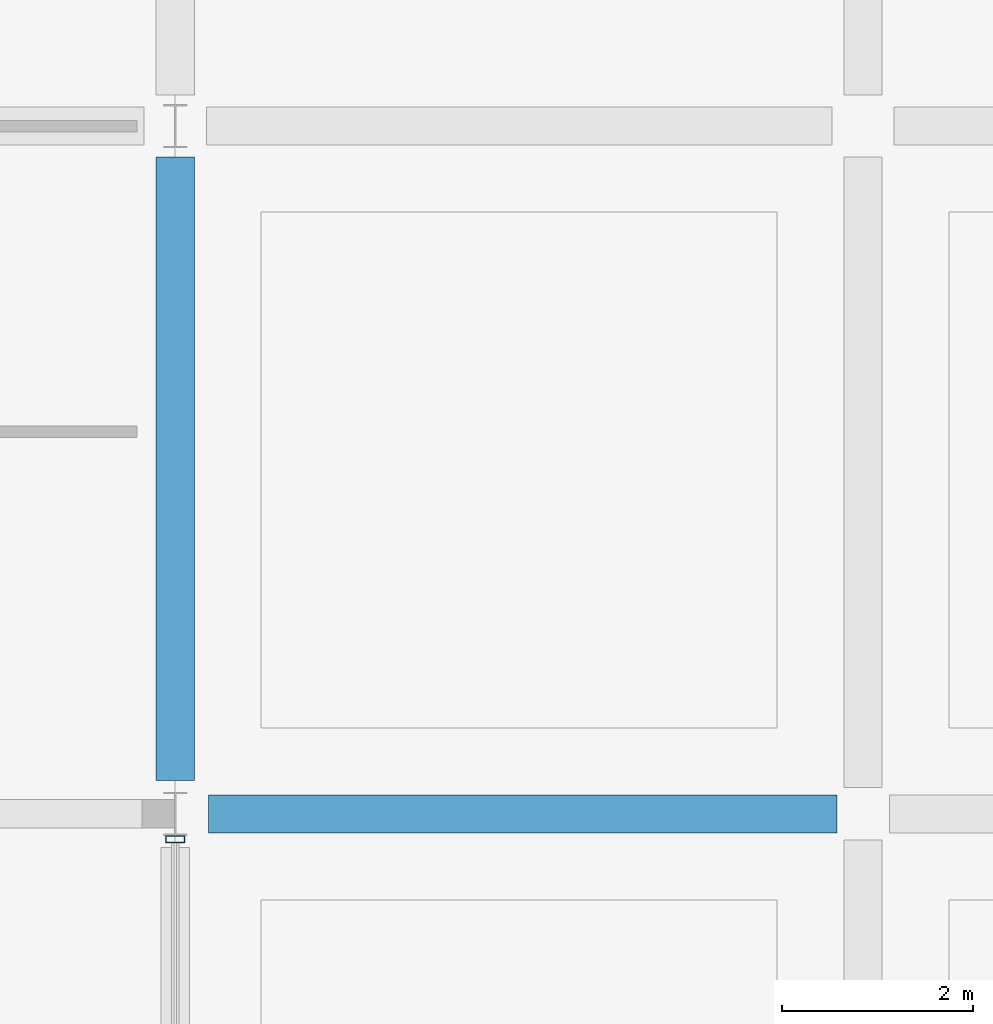
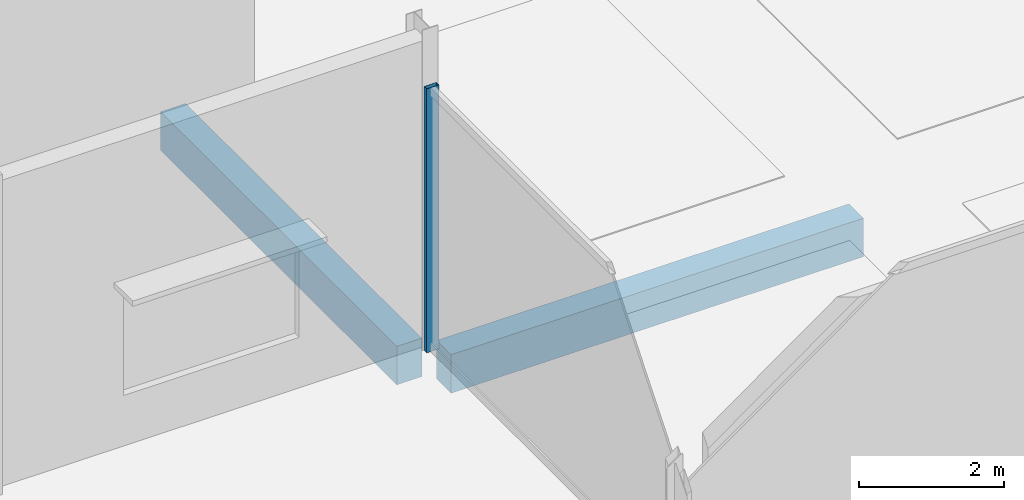
# One storey, part 18 of 90: 2 beams, 1 member, 1 element without a shape of its own.
"""IFC4 building model written with IfcOpenShell, lengths in metres."""

from ifc_helpers import new_model, si_unit, direction, frame, origin, origin_2d, place, context, subcontext, project, spatial, rectangle, hollow_rectangle, extrude, material, layer, layer_set, material_profile, profile_set, type_object, element, aggregate, save


model = new_model("IFC4")

# Units and contexts
model_context = context("Model", 3, precision=1e-05, world=origin(), true_north=direction((0.0, 1.0)))
body_context = subcontext(model_context, "Body", "Model", "MODEL_VIEW")
ifc_project = project(units=[si_unit("LENGTHUNIT", "METRE"), si_unit("AREAUNIT", "SQUARE_METRE"), si_unit("VOLUMEUNIT", "CUBIC_METRE"), si_unit("PLANEANGLEUNIT", "RADIAN"), si_unit("MASSUNIT", "GRAM", prefix="KILO")], contexts=[model_context])

# Site, building, storey
site_placement = place(None, origin())
site = spatial("IfcSite", under=ifc_project, at=site_placement, CompositionType="ELEMENT")
building_placement = place(site_placement, origin())
building = spatial("IfcBuilding", under=site, at=building_placement, Name="Kangsadwip Square Police Headquarters", CompositionType="ELEMENT")
storey_placement = place(building_placement, origin())
storey = spatial("IfcBuildingStorey", under=building, at=storey_placement, Name="L00", CompositionType="ELEMENT", Elevation=0.0)

# Curtain wall, member
ifc_material_1 = material(Name="Thermally broken anodised aluminium AW-6063-T6", Category="aluminium")
ifc_layer = layer(ifc_material_1, 0.159912109375)
ifc_layer_set = layer_set([ifc_layer], Name="Thermally broken anodised aluminium AW-6063-T6")
curtain_wall_type = type_object("IfcCurtainWallType", Name="CourtScreen6744x4450", PredefinedType="USERDEFINED", material=ifc_layer_set)
curtain_wall_placement = place(storey_placement, origin())
curtain_wall = element("IfcCurtainWall", 1, at=curtain_wall_placement, inside=storey, type_object=curtain_wall_type, Name="Curtain Wall CW-L00-0432-0866", ObjectType="GLAZED_SCREEN", PredefinedType="USERDEFINED")
ifc_material_2 = material(Name="Thermally broken anodised aluminium AW-6063-T6", Category="aluminium")
ifc_material_profile_1 = material_profile(ifc_material_2, hollow_rectangle(XDim=0.074951171875, YDim=0.199951171875, WallThickness=0.0048828125, at=origin_2d()), Name="CWM 200X75X5")
ifc_profile_set_1 = profile_set([ifc_material_profile_1], Name="Thermally broken anodised aluminium AW-6063-T6")
member_type = type_object("IfcMemberType", Name="CwMullion180x75", PredefinedType="MULLION", material=ifc_profile_set_1)
member_placement = place(storey_placement, frame((43.199951171875, 93.33447265625, 0.0), z_axis=(0.0, 0.0, 1.0), x_axis=(0.0, 1.0, 0.0)))
member = element("IfcMember", 2, at=member_placement, type_object=member_type, Name="CW-14 mullion 2", PredefinedType="MULLION", context=body_context, shape_type="SweptSolid", body=[
    extrude(hollow_rectangle(XDim=0.074951171875, YDim=0.199951171875, WallThickness=0.0048828125, at=origin_2d()), origin(), (0.0, 0.0, 1.0), 4.449951171875),
])
aggregate(curtain_wall, [member])

# Beams
ifc_material_3 = material(Name="Concrete M35 (35 MPa)", Category="concrete")
ifc_material_profile_2 = material_profile(ifc_material_3, rectangle(XDim=0.39990234375, YDim=0.64990234375, at=origin_2d()), Name="RC BM 650X400")
ifc_profile_set_2 = profile_set([ifc_material_profile_2], Name="Concrete M35 (35 MPa)")
beam_type = type_object("IfcBeamType", Name="RcBeam650x400", PredefinedType="BEAM", material=ifc_profile_set_2)
beam_1_placement = place(storey_placement, frame((43.550048828125, 93.60009765625, -0.574951171875), z_axis=(1.0, 0.0, 0.0), x_axis=(0.0, 1.0, 0.0)))
element("IfcBeam", 3, at=beam_1_placement, inside=storey, type_object=beam_type, Name="Beam BM-L00-X-06-13", PredefinedType="BEAM", context=body_context, shape_type="SweptSolid", body=[
    extrude(rectangle(XDim=0.39990234375, YDim=0.64990234375, at=origin_2d()), origin(), (0.0, 0.0, 1.0), 6.574951171875),
])
beam_2_placement = place(storey_placement, frame((43.199951171875, 93.949951171875, -0.574951171875), z_axis=(0.0, 1.0, 0.0), x_axis=(-1.0, 0.0, 0.0)))
element("IfcBeam", 4, at=beam_2_placement, inside=storey, type_object=beam_type, Name="Beam BM-L00-Y-06-13", PredefinedType="BEAM", context=body_context, shape_type="SweptSolid", body=[
    extrude(rectangle(XDim=0.39990234375, YDim=0.64990234375, at=origin_2d()), origin(), (0.0, 0.0, 1.0), 6.525146484375),
])

save(model, "model.ifc")
